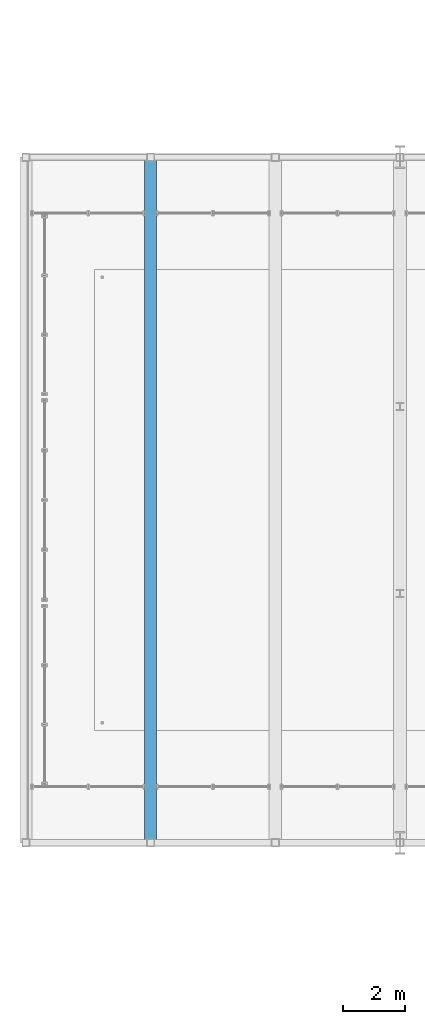
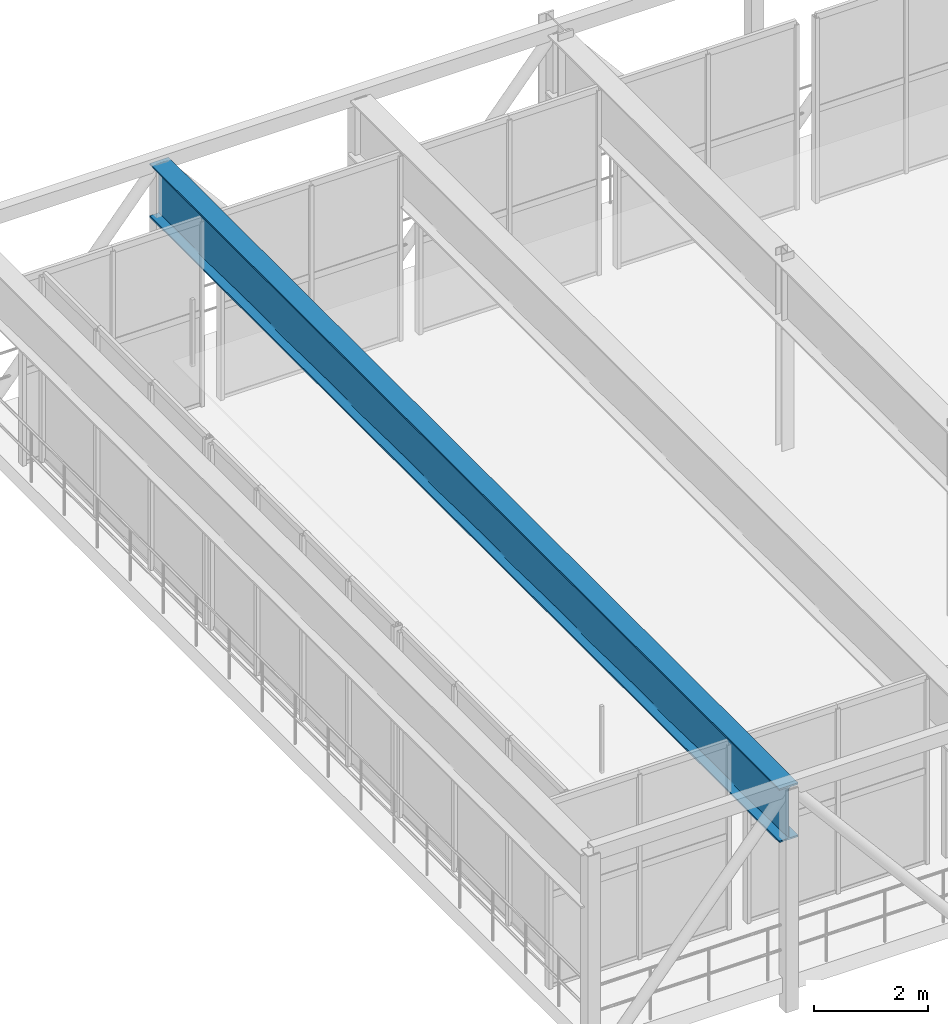
# One storey, part 25 of 124: 1 beam.
"""IFC4 building model written with IfcOpenShell, lengths in metres."""

from ifc_helpers import new_model, si_unit, direction, frame, origin, origin_2d, place, context, subcontext, project, spatial, i_section, extrude, material, material_profile, profile_set, type_object, element, save


model = new_model("IFC4")

# Units and contexts
model_context = context("Model", 3, precision=1e-05, world=origin(), true_north=direction((0.0, 1.0)))
body_context = subcontext(model_context, "Body", "Model", "MODEL_VIEW")
ifc_project = project(units=[si_unit("LENGTHUNIT", "METRE"), si_unit("AREAUNIT", "SQUARE_METRE"), si_unit("VOLUMEUNIT", "CUBIC_METRE"), si_unit("PLANEANGLEUNIT", "RADIAN"), si_unit("MASSUNIT", "GRAM", prefix="KILO")], contexts=[model_context])

# Site, building, storey
site_placement = place(None, origin())
site = spatial("IfcSite", under=ifc_project, at=site_placement, CompositionType="ELEMENT")
building_placement = place(site_placement, origin())
building = spatial("IfcBuilding", under=site, at=building_placement, Name="Sundkrona Museum", CompositionType="ELEMENT")
storey_placement = place(building_placement, frame((0.0, 0.0, 17.60009765625)))
storey = spatial("IfcBuildingStorey", under=building, at=storey_placement, Name="L03", CompositionType="ELEMENT", Elevation=17.60009765625)

# Beam
ifc_material = material(Name="Steel S460M", Category="steel")
ifc_material_profile = material_profile(ifc_material, i_section(OverallWidth=0.3798828125, OverallDepth=1.14990234375, WebThickness=0.01806640625, FlangeThickness=0.033935546875, FilletRadius=0.02392578125, at=origin_2d()), Name="PG 1150x380")
ifc_profile_set = profile_set([ifc_material_profile], Name="Steel S460M")
beam_type = type_object("IfcBeamType", Name="TG-HEB700", PredefinedType="USERDEFINED", material=ifc_profile_set)
beam_placement = place(storey_placement, frame((8.0, 32.0, 3.474853515625), z_axis=(0.0, 1.0, 0.0), x_axis=(-1.0, 0.0, 0.0)))
element("IfcBeam", 1, at=beam_placement, inside=storey, type_object=beam_type, Name="TG-2 L03 Cantilever Cross Transfer Girder X=8", ObjectType="TRANSFER GIRDER", PredefinedType="USERDEFINED", context=body_context, shape_type="SweptSolid", body=[
    extrude(i_section(OverallWidth=0.3798828125, OverallDepth=1.14990234375, WebThickness=0.01806640625, FlangeThickness=0.033935546875, FilletRadius=0.02392578125, at=origin_2d()), origin(), (0.0, 0.0, 1.0), 22.0),
])

save(model, "model.ifc")
